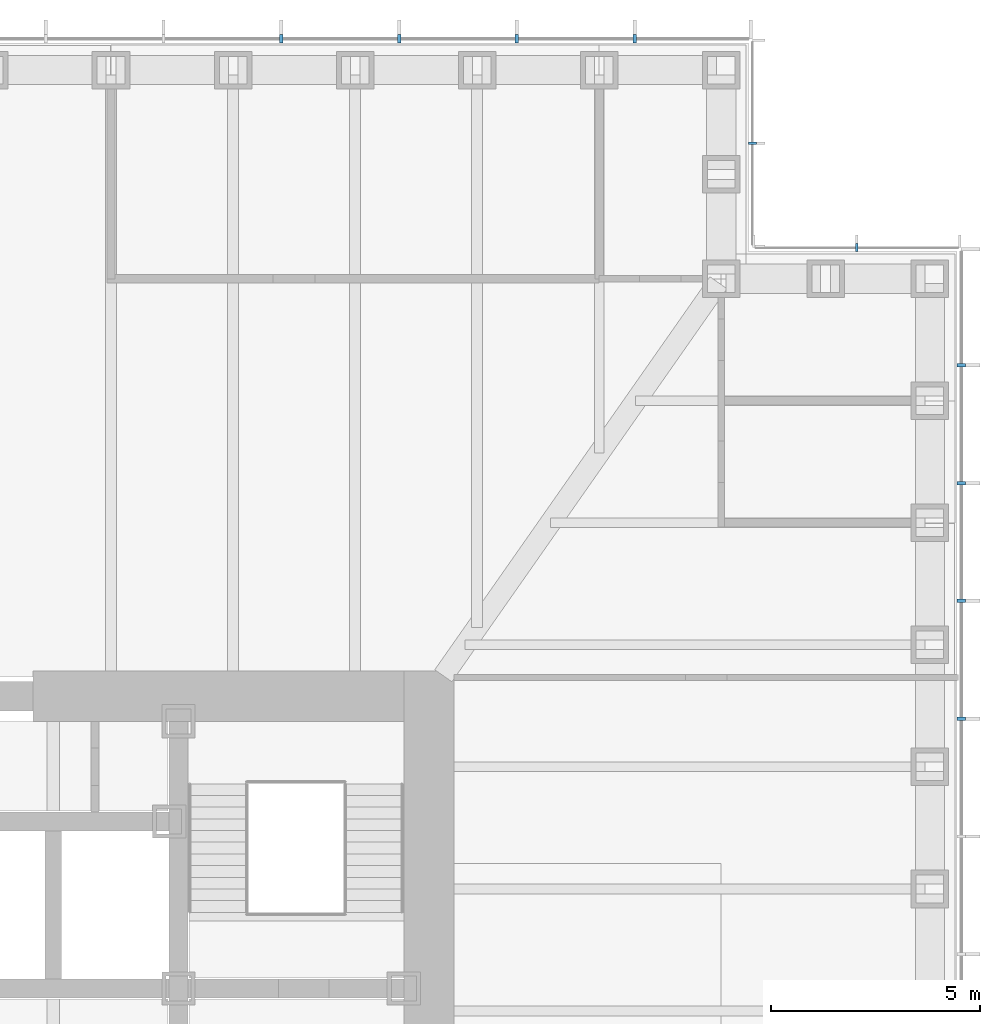
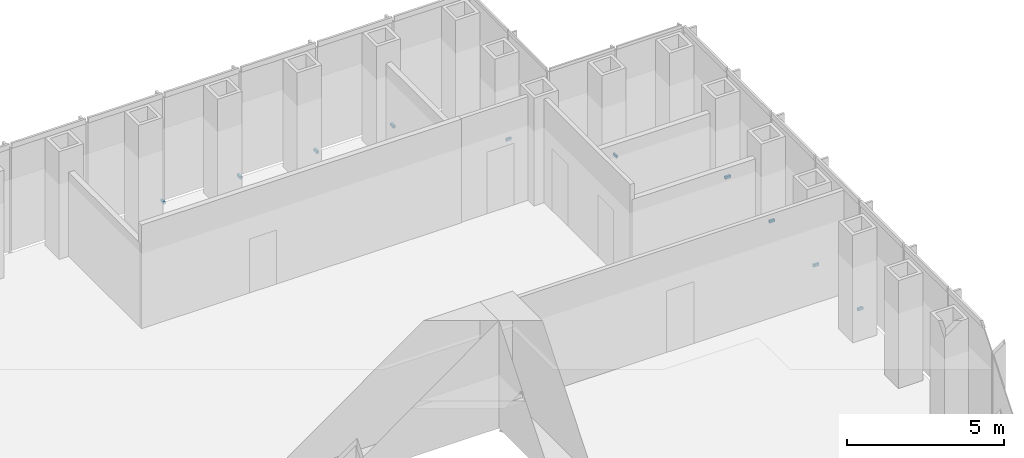
# One storey, part 16 of 17: 10 discrete accessories.
"""IFC4 building model written with IfcOpenShell, lengths in metres."""

import ifcopenshell
import ifcopenshell.guid

model = None  # the IFC model being written
_history = None  # IfcOwnerHistory: only IFC2X3 demands one
_inside = {}  # id of a spatial element -> (the spatial element, [elements in it])
_under = {}  # id of a project, library or spatial element -> (it, [spatial elements below it])
_declared = {}  # id of a project -> (the project, [libraries it declares])
_typed = {}  # id of a type object -> (the type object, [elements of that type])
_made_of = {}  # id of a material, layer set ... -> (it, [elements and type objects made of it])


def new_model(schema):
    """Start an empty IFC model of exactly this schema.

    Asked for "IFC4X3", IfcOpenShell would pick the latest addendum, in which some entities
    have other attributes; the version numbers below select the first issue.
    IFC2X3 requires an IfcOwnerHistory on every rooted entity: one is made here for all.
    """
    global model, _history
    if schema == "IFC4X3":
        model = ifcopenshell.file(schema_version=(4, 3, 0, 0))
    else:
        model = ifcopenshell.file(schema=schema)
    _inside.clear()
    _under.clear()
    _declared.clear()
    _typed.clear()
    _made_of.clear()
    _history = None
    if model.schema == "IFC2X3":
        org = make("IfcOrganization", Name="unknown")
        user = make(
            "IfcPersonAndOrganization",
            ThePerson=make("IfcPerson", FamilyName="unknown"),
            TheOrganization=org,
        )
        app = make(
            "IfcApplication",
            ApplicationDeveloper=org,
            Version="unknown",
            ApplicationFullName="unknown",
            ApplicationIdentifier="unknown",
        )
        _history = make(
            "IfcOwnerHistory",
            OwningUser=user,
            OwningApplication=app,
            ChangeAction="ADDED",
            CreationDate=0,
        )
    return model


def make(cls, **values):
    """One entity of the class cls with the attributes given. An attribute that is None is left unset."""
    return model.create_entity(
        cls, **{name: value for name, value in values.items() if value is not None}
    )


def rooted(cls, **values):
    """An entity with a GlobalId (a new one), such as an element, a storey or a relation."""
    return make(cls, GlobalId=ifcopenshell.guid.new(), OwnerHistory=_history, **values)


def si_unit(unit_type, name, prefix=None):
    """IfcSIUnit, for example si_unit("LENGTHUNIT", "METRE", prefix="MILLI")."""
    return make("IfcSIUnit", UnitType=unit_type, Prefix=prefix, Name=name)


def assignment(units):
    """IfcUnitAssignment: the units of a project."""
    return None if units is None else make("IfcUnitAssignment", Units=units)


def point(xyz):
    """IfcCartesianPoint."""
    return None if xyz is None else make("IfcCartesianPoint", Coordinates=xyz)


def direction(xyz):
    """IfcDirection."""
    return None if xyz is None else make("IfcDirection", DirectionRatios=xyz)


def frame(location, z_axis=None, x_axis=None):
    """IfcAxis2Placement3D, a coordinate frame: its origin and axes. An axis left out is left unset."""
    return make(
        "IfcAxis2Placement3D",
        Location=point(location),
        Axis=direction(z_axis),
        RefDirection=direction(x_axis),
    )


def frame_2d(location, x_axis=None):
    """IfcAxis2Placement2D, a coordinate frame in the plane: its origin and x axis."""
    return make(
        "IfcAxis2Placement2D", Location=point(location), RefDirection=direction(x_axis)
    )


def origin():
    """The frame at (0, 0, 0) with its axes left unset."""
    return frame((0.0, 0.0, 0.0))


def origin_2d():
    """The frame at (0, 0) in the plane with its x axis left unset."""
    return frame_2d((0.0, 0.0))


def place(relative_to, where):
    """IfcLocalPlacement: puts the frame where relative to a parent placement (None: the world)."""
    return make(
        "IfcLocalPlacement", PlacementRelTo=relative_to, RelativePlacement=where
    )


def context(
    kind, dimensions, precision=None, world=None, true_north=None, identifier=None
):
    """IfcGeometricRepresentationContext, for example the 3D "Model" context."""
    return make(
        "IfcGeometricRepresentationContext",
        ContextIdentifier=identifier,
        ContextType=kind,
        CoordinateSpaceDimension=dimensions,
        Precision=precision,
        WorldCoordinateSystem=world,
        TrueNorth=true_north,
    )


def subcontext(parent, identifier, kind, view, scale=None):
    """IfcGeometricRepresentationSubContext, for example "Body" below "Model"."""
    return make(
        "IfcGeometricRepresentationSubContext",
        ContextIdentifier=identifier,
        ContextType=kind,
        ParentContext=parent,
        TargetScale=scale,
        TargetView=view,
    )


def project(units=None, contexts=None):
    """IfcProject with its units and contexts."""
    return rooted(
        "IfcProject",
        Name="project",
        RepresentationContexts=contexts,
        UnitsInContext=assignment(units),
    )


def spatial(cls, under=None, at=None, **own):
    """A site, building, storey or space (cls), placed at a placement, below another one or the project."""
    s = rooted(cls, ObjectPlacement=at, **own)
    if under is not None:
        _under.setdefault(under.id(), (under, []))[1].append(s)
    return s


def profile(cls, at=None, kind="AREA", **sizes):
    """A parametric profile (cls). Its sizes go by their IFC names, for example OverallWidth=200.0."""
    return make(cls, ProfileType=kind, Position=at, **sizes)


def rectangle(**sizes):
    """IfcRectangleProfileDef."""
    return profile("IfcRectangleProfileDef", **sizes)


def extrude(swept, where, along, depth):
    """IfcExtrudedAreaSolid: the profile swept, set in the frame where, extruded along a direction by depth."""
    return make(
        "IfcExtrudedAreaSolid",
        SweptArea=swept,
        Position=where,
        ExtrudedDirection=direction(along),
        Depth=depth,
    )


def shape(context_of_items, identifier, shape_type, items):
    """IfcShapeRepresentation: the items that make up one representation, for example the "Body"."""
    return make(
        "IfcShapeRepresentation",
        ContextOfItems=context_of_items,
        RepresentationIdentifier=identifier,
        RepresentationType=shape_type,
        Items=items,
    )


def made_of(thing, what):
    """Note that an element or type object is made of a material, layer set ...; save() writes the relation."""
    if what is not None:
        _made_of.setdefault(what.id(), (what, []))[1].append(thing)
    return thing


def element(
    cls,
    number,
    at=None,
    inside=None,
    cuts=None,
    type_object=None,
    material=None,
    context=None,
    identifier="Body",
    shape_type=None,
    held_by="IfcProductDefinitionShape",
    body=None,
    shapes=None,
    **own,
):
    """One element of the class cls, such as IfcWall. Its Tag is "e" and its number.

    at: its placement. inside: the storey or other place that contains it. cuts: it is an
    opening in that element (IfcRelVoidsElement). A single representation is given by context,
    identifier, shape_type and body (its items); several are given by shapes. held_by: the class
    of the entity that holds the representations. save() writes the other relations.
    """
    e = rooted(cls, Tag="e%d" % number, ObjectPlacement=at, **own)
    if body is not None:
        shapes = [shape(context, identifier, shape_type, body)]
    if shapes is not None:
        e.Representation = make(held_by, Representations=shapes)
    if inside is not None:
        _inside.setdefault(inside.id(), (inside, []))[1].append(e)
    if cuts is not None:
        rooted(
            "IfcRelVoidsElement", RelatingBuildingElement=cuts, RelatedOpeningElement=e
        )
    if type_object is not None:
        _typed.setdefault(type_object.id(), (type_object, []))[1].append(e)
    return made_of(e, material)


def aggregate(whole, parts):
    """IfcRelAggregates: a whole, such as a stair, and the parts it consists of."""
    return rooted("IfcRelAggregates", RelatingObject=whole, RelatedObjects=parts)


def save(model, path):
    """Write the relations noted so far, then the file.

    IfcRelAggregates (storeys below a building ...), IfcRelContainedInSpatialStructure (elements
    in a storey), IfcRelDefinesByType, IfcRelAssociatesMaterial and IfcRelDeclares: one each for
    every whole, place, type object, material and project.
    """
    for whole, parts in _under.values():
        aggregate(whole, parts)
    for where, things in _inside.values():
        rooted(
            "IfcRelContainedInSpatialStructure",
            RelatedElements=things,
            RelatingStructure=where,
        )
    for kind, things in _typed.values():
        rooted("IfcRelDefinesByType", RelatedObjects=things, RelatingType=kind)
    for what, things in _made_of.values():
        rooted("IfcRelAssociatesMaterial", RelatedObjects=things, RelatingMaterial=what)
    for by, libraries in _declared.values():
        rooted("IfcRelDeclares", RelatingContext=by, RelatedDefinitions=libraries)
    model.write(path)


model = new_model("IFC4")

# Units and contexts
model_context = context("Model", 3, precision=1e-05, world=origin(), true_north=direction((0.0, 1.0)))
body_context = subcontext(model_context, "Body", "Model", "MODEL_VIEW")
ifc_project = project(units=[si_unit("LENGTHUNIT", "METRE"), si_unit("AREAUNIT", "SQUARE_METRE"), si_unit("VOLUMEUNIT", "CUBIC_METRE"), si_unit("PLANEANGLEUNIT", "RADIAN"), si_unit("MASSUNIT", "GRAM", prefix="KILO")], contexts=[model_context])

# Site, building, storey
site_placement = place(None, origin())
site = spatial("IfcSite", under=ifc_project, at=site_placement, CompositionType="ELEMENT")
building_placement = place(site_placement, origin())
building = spatial("IfcBuilding", under=site, at=building_placement, Name="Daluyong Arena Tower", CompositionType="ELEMENT")
storey_placement = place(building_placement, frame((0.0, 0.0, 89.5)))
storey = spatial("IfcBuildingStorey", under=building, at=storey_placement, Name="L19", CompositionType="ELEMENT", Elevation=89.5)

# Discrete accessories
for number, where, z_axis, x_axis, name in (
    (1, (80.75, 88.46435546875, -0.10009765625), (0.0, 0.0, 1.0), (0.0, 1.0, 0.0), "curtain wall L19 E anchor bracket 11"),
    (2, (80.75, 91.28564453125, -0.10009765625), (0.0, 0.0, 1.0), (0.0, 1.0, 0.0), "curtain wall L19 E anchor bracket 12"),
    (3, (80.75, 94.107177734375, -0.10009765625), (0.0, 0.0, 1.0), (0.0, 1.0, 0.0), "curtain wall L19 E anchor bracket 13"),
    (4, (80.75, 96.928466796875, -0.10009765625), (0.0, 0.0, 1.0), (0.0, 1.0, 0.0), "curtain wall L19 E anchor bracket 14"),
):
    element("IfcDiscreteAccessory", number, at=place(storey_placement, frame(where, z_axis=z_axis, x_axis=x_axis)), inside=storey, Name=name, PredefinedType="BRACKET", context=body_context, shape_type="SweptSolid", body=[
        extrude(rectangle(XDim=0.080078125, YDim=0.199951171875, at=origin_2d()), origin(), (0.0, 0.0, 1.0), 0.10009765625),
    ])
for number, where, z_axis, x_axis, name in (
    (5, (78.25, 99.75, -0.10009765625), (0.0, 0.0, 1.0), (-1.0, 0.0, 0.0), "curtain wall L19 NE-N anchor bracket 2"),
    (6, (75.75, 102.25, -0.10009765625), (0.0, 0.0, 1.0), (0.0, 1.0, 0.0), "curtain wall L19 NE-E anchor bracket 2"),
):
    element("IfcDiscreteAccessory", number, at=place(storey_placement, frame(where, z_axis=z_axis, x_axis=x_axis)), inside=storey, Name=name, PredefinedType="BRACKET", context=body_context, shape_type="SweptSolid", body=[
        extrude(rectangle(XDim=0.06005859375, YDim=0.199951171875, at=origin_2d()), origin(), (0.0, 0.0, 1.0), 0.10009765625),
    ])
for number, where, z_axis, x_axis, name in (
    (7, (72.928466796875, 104.75, -0.10009765625), (0.0, 0.0, 1.0), (-1.0, 0.0, 0.0), "curtain wall L19 N anchor bracket 2"),
    (8, (70.107177734375, 104.75, -0.10009765625), (0.0, 0.0, 1.0), (-1.0, 0.0, 0.0), "curtain wall L19 N anchor bracket 3"),
    (9, (67.28564453125, 104.75, -0.10009765625), (0.0, 0.0, 1.0), (-1.0, 0.0, 0.0), "curtain wall L19 N anchor bracket 4"),
    (10, (64.46435546875, 104.75, -0.10009765625), (0.0, 0.0, 1.0), (-1.0, 0.0, 0.0), "curtain wall L19 N anchor bracket 5"),
):
    element("IfcDiscreteAccessory", number, at=place(storey_placement, frame(where, z_axis=z_axis, x_axis=x_axis)), inside=storey, Name=name, PredefinedType="BRACKET", context=body_context, shape_type="SweptSolid", body=[
        extrude(rectangle(XDim=0.080078125, YDim=0.199951171875, at=origin_2d()), origin(), (0.0, 0.0, 1.0), 0.10009765625),
    ])

save(model, "model.ifc")
